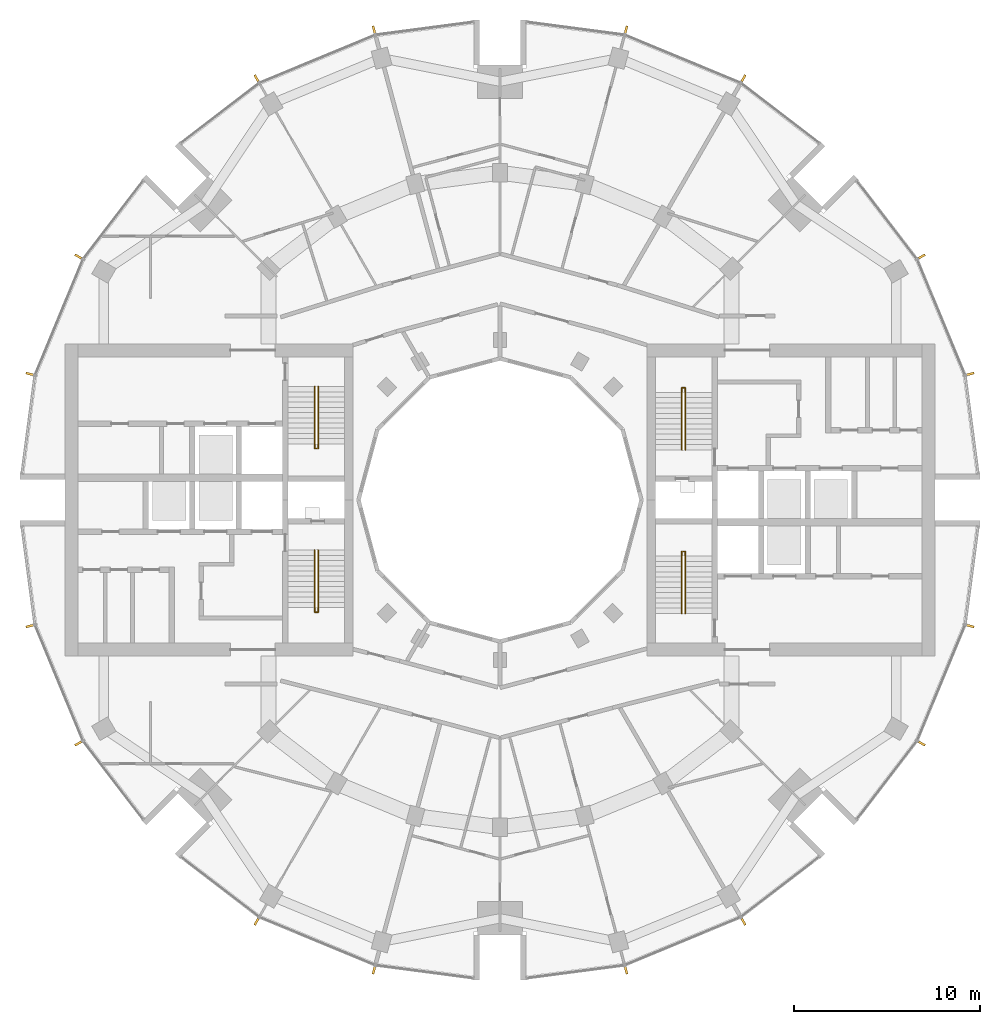
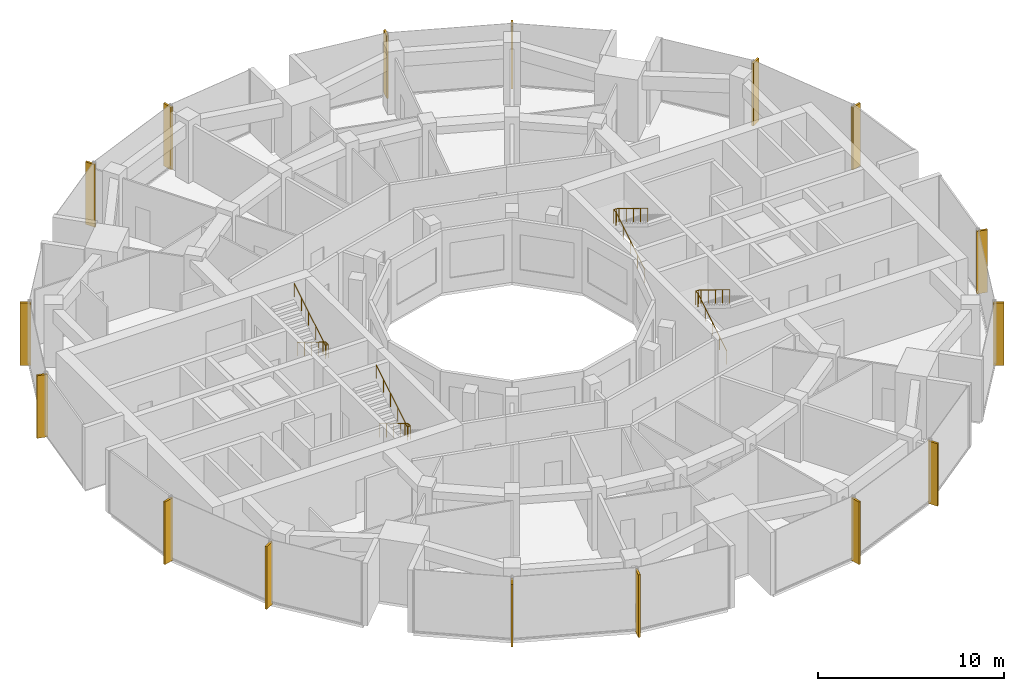
# One storey, part 14 of 15: 16 shading devices, 4 railings.
"""IFC4 building model written with IfcOpenShell, lengths in metres."""

from ifc_helpers import new_model, si_unit, direction, frame, origin, origin_2d, place, context, subcontext, project, spatial, rectangle, circle, extrude, material, material_profile, profile_set, type_object, element, save


model = new_model("IFC4")

# Units and contexts
model_context = context("Model", 3, precision=1e-05, world=origin(), true_north=direction((0.0, 1.0)))
body_context = subcontext(model_context, "Body", "Model", "MODEL_VIEW")
ifc_project = project(units=[si_unit("LENGTHUNIT", "METRE"), si_unit("AREAUNIT", "SQUARE_METRE"), si_unit("VOLUMEUNIT", "CUBIC_METRE"), si_unit("PLANEANGLEUNIT", "RADIAN"), si_unit("MASSUNIT", "GRAM", prefix="KILO")], contexts=[model_context])

# Site, building, storey
site_placement = place(None, origin())
site = spatial("IfcSite", under=ifc_project, at=site_placement, CompositionType="ELEMENT")
building_placement = place(site_placement, origin())
building = spatial("IfcBuilding", under=site, at=building_placement, Name="Torre Brocal", CompositionType="ELEMENT")
storey_placement = place(building_placement, frame((0.0, 0.0, 194.60009765625)))
storey = spatial("IfcBuildingStorey", under=building, at=storey_placement, Name="L45", CompositionType="ELEMENT", Elevation=194.60009765625)

# Shading devices
ifc_material_1 = material(Name="Aluminium, black anodised", Category="aluminium")
ifc_material_profile = material_profile(ifc_material_1, rectangle(XDim=0.1201171875, YDim=0.60009765625, at=origin_2d()), Name="FIN 120X600 4100 HIGH")
ifc_profile_set = profile_set([ifc_material_profile], Name="Aluminium, black anodised")
shading_device_type = type_object("IfcShadingDeviceType", Name="FIN 120X600 4100 HIGH", PredefinedType="USERDEFINED", material=ifc_profile_set)
for number, where, z_axis, x_axis, name in (
    (1, (105.208984375, 81.754638671875, -0.150146484375), (0.0, 0.0, 1.0), (-0.258819045103, 0.965925826289, 0.0), "FIN"),
    (2, (102.601806640625, 88.049072265625, -0.150146484375), (0.0, 0.0, 1.0), (-0.5, 0.866025403784, 0.0), "FIN"),
    (3, (93.049072265625, 97.601806640625, -0.150146484375), (0.0, 0.0, 1.0), (-0.866025403784, 0.5, 0.0), "FIN"),
    (4, (86.754638671875, 100.208984375, -0.150146484375), (0.0, 0.0, 1.0), (-0.965925826289, 0.258819045103, 0.0), "FIN"),
    (5, (73.245361328125, 100.208984375, -0.150146484375), (0.0, 0.0, 1.0), (-0.965925826289, -0.258819045103, 0.0), "FIN"),
    (6, (66.950927734375, 97.601806640625, -0.150146484375), (0.0, 0.0, 1.0), (-0.866025403784, -0.5, 0.0), "FIN"),
    (7, (57.398193359375, 88.049072265625, -0.150146484375), (0.0, 0.0, 1.0), (-0.5, -0.866025403784, 0.0), "FIN"),
    (8, (54.791015625, 81.754638671875, -0.150146484375), (0.0, 0.0, 1.0), (-0.258819045103, -0.965925826289, 0.0), "FIN"),
    (9, (54.791015625, 68.245361328125, -0.150146484375), (0.0, 0.0, 1.0), (0.258819045103, -0.965925826289, 0.0), "FIN"),
    (10, (57.398193359375, 61.950927734375, -0.150146484375), (0.0, 0.0, 1.0), (0.5, -0.866025403784, 0.0), "FIN"),
    (11, (66.950927734375, 52.398193359375, -0.150146484375), (0.0, 0.0, 1.0), (0.866025403784, -0.5, 0.0), "FIN"),
    (12, (73.245361328125, 49.791015625, -0.150146484375), (0.0, 0.0, 1.0), (0.965925826289, -0.258819045103, 0.0), "FIN"),
    (13, (86.754638671875, 49.791015625, -0.150146484375), (0.0, 0.0, 1.0), (0.965925826289, 0.258819045103, 0.0), "FIN"),
    (14, (93.049072265625, 52.398193359375, -0.150146484375), (0.0, 0.0, 1.0), (0.866025403784, 0.5, 0.0), "FIN"),
    (15, (102.601806640625, 61.950927734375, -0.150146484375), (0.0, 0.0, 1.0), (0.5, 0.866025403784, 0.0), "FIN"),
    (16, (105.208984375, 68.245361328125, -0.150146484375), (0.0, 0.0, 1.0), (0.258819045103, 0.965925826289, 0.0), "FIN"),
):
    element("IfcShadingDevice", number, at=place(storey_placement, frame(where, z_axis=z_axis, x_axis=x_axis)), inside=storey, type_object=shading_device_type, Name=name, ObjectType="FIN", PredefinedType="USERDEFINED", context=body_context, shape_type="SweptSolid", body=[
        extrude(rectangle(XDim=0.1201171875, YDim=0.60009765625, at=origin_2d()), origin(), (0.0, 0.0, 1.0), 4.10009765625),
    ])

# Railings
ifc_material_2 = material(Name="Stainless steel AISI 316", Category="steel")
railing_type = type_object("IfcRailingType", Name="STAIR HANDRAIL", PredefinedType="HANDRAIL", material=ifc_material_2)
railing_1_placement = place(storey_placement, frame((89.780029296875, 77.699951171875, 0.170654296875)))
element("IfcRailing", 17, at=railing_1_placement, inside=storey, type_object=railing_type, Name="HANDRAIL ST1", PredefinedType="HANDRAIL", context=body_context, shape_type="SweptSolid", body=[
    extrude(circle(Radius=0.02392578125, at=origin_2d()), frame((0.0, 0.0, 0.8759765625), z_axis=(0.0, 0.853666305674, 0.52082035152), x_axis=(-1.0, 0.0, 0.0)), (0.0, 0.0, 1.0), 3.608154296875),
    extrude(circle(Radius=0.02392578125, at=origin_2d()), frame((0.0, 3.080078125, 2.7548828125), z_axis=(0.0, 1.0, 0.0), x_axis=(-1.0, 0.0, 0.0)), (0.0, 0.0, 1.0), 0.25),
    extrude(circle(Radius=0.02392578125, at=origin_2d()), frame((0.0, 3.330078125, 2.7548828125), z_axis=(1.0, 0.0, 0.0), x_axis=(0.0, 1.0, 0.0)), (0.0, 0.0, 1.0), 0.18994140625),
    extrude(circle(Radius=0.02392578125, at=origin_2d()), frame((0.18994140625, 3.330078125, 2.7548828125), z_axis=(0.0, -0.825544483742, 0.564337049433), x_axis=(1.0, 0.0, 0.0)), (0.0, 0.0, 1.0), 0.302734375),
    extrude(circle(Radius=0.02392578125, at=origin_2d()), frame((0.18994140625, 3.080078125, 2.92578125), z_axis=(0.0, -0.853666305674, 0.52082035152), x_axis=(1.0, 0.0, 0.0)), (0.0, 0.0, 1.0), 3.608154296875),
    extrude(circle(Radius=0.02099609375, at=origin_2d()), origin(), (0.0, 0.0, 1.0), 0.851806640625),
    extrude(circle(Radius=0.02099609375, at=origin_2d()), frame((0.0, 0.77001953125, 0.4697265625)), (0.0, 0.0, 1.0), 0.851806640625),
    extrude(circle(Radius=0.02099609375, at=origin_2d()), frame((0.0, 1.5400390625, 0.939453125)), (0.0, 0.0, 1.0), 0.851806640625),
    extrude(circle(Radius=0.02099609375, at=origin_2d()), frame((0.0, 2.31005859375, 1.409423828125)), (0.0, 0.0, 1.0), 0.851806640625),
    extrude(circle(Radius=0.02099609375, at=origin_2d()), frame((0.0, 3.080078125, 1.879150390625)), (0.0, 0.0, 1.0), 0.851806640625),
    extrude(circle(Radius=0.02099609375, at=origin_2d()), frame((0.0, 3.330078125, 1.879150390625)), (0.0, 0.0, 1.0), 0.851806640625),
    extrude(circle(Radius=0.02099609375, at=origin_2d()), frame((0.18994140625, 3.330078125, 1.879150390625)), (0.0, 0.0, 1.0), 0.851806640625),
    extrude(circle(Radius=0.02099609375, at=origin_2d()), frame((0.18994140625, 3.080078125, 2.050048828125)), (0.0, 0.0, 1.0), 0.851806640625),
    extrude(circle(Radius=0.02099609375, at=origin_2d()), frame((0.18994140625, 2.31005859375, 2.519775390625)), (0.0, 0.0, 1.0), 0.851806640625),
    extrude(circle(Radius=0.02099609375, at=origin_2d()), frame((0.18994140625, 1.5400390625, 2.98974609375)), (0.0, 0.0, 1.0), 0.851806640625),
    extrude(circle(Radius=0.02099609375, at=origin_2d()), frame((0.18994140625, 0.77001953125, 3.45947265625)), (0.0, 0.0, 1.0), 0.851806640625),
    extrude(circle(Radius=0.02099609375, at=origin_2d()), frame((0.18994140625, 0.0, 3.92919921875)), (0.0, 0.0, 1.0), 0.851806640625),
])
railing_2_placement = place(storey_placement, frame((89.780029296875, 68.89990234375, 0.170654296875)))
element("IfcRailing", 18, at=railing_2_placement, inside=storey, type_object=railing_type, Name="HANDRAIL ST2", PredefinedType="HANDRAIL", context=body_context, shape_type="SweptSolid", body=[
    extrude(circle(Radius=0.02392578125, at=origin_2d()), frame((0.0, 0.0, 0.8759765625), z_axis=(0.0, 0.853666305674, 0.52082035152), x_axis=(-1.0, 0.0, 0.0)), (0.0, 0.0, 1.0), 3.608154296875),
    extrude(circle(Radius=0.02392578125, at=origin_2d()), frame((0.0, 3.080078125, 2.7548828125), z_axis=(0.0, 1.0, 0.0), x_axis=(-1.0, 0.0, 0.0)), (0.0, 0.0, 1.0), 0.25),
    extrude(circle(Radius=0.02392578125, at=origin_2d()), frame((0.0, 3.330078125, 2.7548828125), z_axis=(1.0, 0.0, 0.0), x_axis=(0.0, 1.0, 0.0)), (0.0, 0.0, 1.0), 0.18994140625),
    extrude(circle(Radius=0.02392578125, at=origin_2d()), frame((0.18994140625, 3.330078125, 2.7548828125), z_axis=(0.0, -0.825544483742, 0.564337049433), x_axis=(1.0, 0.0, 0.0)), (0.0, 0.0, 1.0), 0.302734375),
    extrude(circle(Radius=0.02392578125, at=origin_2d()), frame((0.18994140625, 3.080078125, 2.92578125), z_axis=(0.0, -0.853666305674, 0.52082035152), x_axis=(1.0, 0.0, 0.0)), (0.0, 0.0, 1.0), 3.608154296875),
    extrude(circle(Radius=0.02099609375, at=origin_2d()), origin(), (0.0, 0.0, 1.0), 0.851806640625),
    extrude(circle(Radius=0.02099609375, at=origin_2d()), frame((0.0, 0.77001953125, 0.4697265625)), (0.0, 0.0, 1.0), 0.851806640625),
    extrude(circle(Radius=0.02099609375, at=origin_2d()), frame((0.0, 1.5400390625, 0.939453125)), (0.0, 0.0, 1.0), 0.851806640625),
    extrude(circle(Radius=0.02099609375, at=origin_2d()), frame((0.0, 2.31005859375, 1.409423828125)), (0.0, 0.0, 1.0), 0.851806640625),
    extrude(circle(Radius=0.02099609375, at=origin_2d()), frame((0.0, 3.080078125, 1.879150390625)), (0.0, 0.0, 1.0), 0.851806640625),
    extrude(circle(Radius=0.02099609375, at=origin_2d()), frame((0.0, 3.330078125, 1.879150390625)), (0.0, 0.0, 1.0), 0.851806640625),
    extrude(circle(Radius=0.02099609375, at=origin_2d()), frame((0.18994140625, 3.330078125, 1.879150390625)), (0.0, 0.0, 1.0), 0.851806640625),
    extrude(circle(Radius=0.02099609375, at=origin_2d()), frame((0.18994140625, 3.080078125, 2.050048828125)), (0.0, 0.0, 1.0), 0.851806640625),
    extrude(circle(Radius=0.02099609375, at=origin_2d()), frame((0.18994140625, 2.31005859375, 2.519775390625)), (0.0, 0.0, 1.0), 0.851806640625),
    extrude(circle(Radius=0.02099609375, at=origin_2d()), frame((0.18994140625, 1.5400390625, 2.98974609375)), (0.0, 0.0, 1.0), 0.851806640625),
    extrude(circle(Radius=0.02099609375, at=origin_2d()), frame((0.18994140625, 0.77001953125, 3.45947265625)), (0.0, 0.0, 1.0), 0.851806640625),
    extrude(circle(Radius=0.02099609375, at=origin_2d()), frame((0.18994140625, 0.0, 3.92919921875)), (0.0, 0.0, 1.0), 0.851806640625),
])
railing_3_placement = place(storey_placement, frame((70.219970703125, 72.300048828125, 0.170654296875)))
element("IfcRailing", 19, at=railing_3_placement, inside=storey, type_object=railing_type, Name="HANDRAIL ST3", PredefinedType="HANDRAIL", context=body_context, shape_type="SweptSolid", body=[
    extrude(circle(Radius=0.02392578125, at=origin_2d()), frame((0.0, 0.0, 0.8759765625), z_axis=(0.0, -0.853666305674, 0.52082035152), x_axis=(1.0, 0.0, 0.0)), (0.0, 0.0, 1.0), 3.608154296875),
    extrude(circle(Radius=0.02392578125, at=origin_2d()), frame((0.0, -3.080078125, 2.7548828125), z_axis=(0.0, -1.0, 0.0), x_axis=(1.0, 0.0, 0.0)), (0.0, 0.0, 1.0), 0.25),
    extrude(circle(Radius=0.02392578125, at=origin_2d()), frame((0.0, -3.330078125, 2.7548828125), z_axis=(-1.0, 0.0, 0.0), x_axis=(0.0, -1.0, 0.0)), (0.0, 0.0, 1.0), 0.18994140625),
    extrude(circle(Radius=0.02392578125, at=origin_2d()), frame((-0.18994140625, -3.330078125, 2.7548828125), z_axis=(0.0, 0.825544483742, 0.564337049433), x_axis=(-1.0, 0.0, 0.0)), (0.0, 0.0, 1.0), 0.302734375),
    extrude(circle(Radius=0.02392578125, at=origin_2d()), frame((-0.18994140625, -3.080078125, 2.92578125), z_axis=(0.0, 0.853666305674, 0.52082035152), x_axis=(-1.0, 0.0, 0.0)), (0.0, 0.0, 1.0), 3.608154296875),
    extrude(circle(Radius=0.02099609375, at=origin_2d()), origin(), (0.0, 0.0, 1.0), 0.851806640625),
    extrude(circle(Radius=0.02099609375, at=origin_2d()), frame((0.0, -0.77001953125, 0.4697265625)), (0.0, 0.0, 1.0), 0.851806640625),
    extrude(circle(Radius=0.02099609375, at=origin_2d()), frame((0.0, -1.5400390625, 0.939453125)), (0.0, 0.0, 1.0), 0.851806640625),
    extrude(circle(Radius=0.02099609375, at=origin_2d()), frame((0.0, -2.31005859375, 1.409423828125)), (0.0, 0.0, 1.0), 0.851806640625),
    extrude(circle(Radius=0.02099609375, at=origin_2d()), frame((0.0, -3.080078125, 1.879150390625)), (0.0, 0.0, 1.0), 0.851806640625),
    extrude(circle(Radius=0.02099609375, at=origin_2d()), frame((0.0, -3.330078125, 1.879150390625)), (0.0, 0.0, 1.0), 0.851806640625),
    extrude(circle(Radius=0.02099609375, at=origin_2d()), frame((-0.18994140625, -3.330078125, 1.879150390625)), (0.0, 0.0, 1.0), 0.851806640625),
    extrude(circle(Radius=0.02099609375, at=origin_2d()), frame((-0.18994140625, -3.080078125, 2.050048828125)), (0.0, 0.0, 1.0), 0.851806640625),
    extrude(circle(Radius=0.02099609375, at=origin_2d()), frame((-0.18994140625, -2.31005859375, 2.519775390625)), (0.0, 0.0, 1.0), 0.851806640625),
    extrude(circle(Radius=0.02099609375, at=origin_2d()), frame((-0.18994140625, -1.5400390625, 2.98974609375)), (0.0, 0.0, 1.0), 0.851806640625),
    extrude(circle(Radius=0.02099609375, at=origin_2d()), frame((-0.18994140625, -0.77001953125, 3.45947265625)), (0.0, 0.0, 1.0), 0.851806640625),
    extrude(circle(Radius=0.02099609375, at=origin_2d()), frame((-0.18994140625, 0.0, 3.92919921875)), (0.0, 0.0, 1.0), 0.851806640625),
])
railing_4_placement = place(storey_placement, frame((70.219970703125, 81.10009765625, 0.170654296875)))
element("IfcRailing", 20, at=railing_4_placement, inside=storey, type_object=railing_type, Name="HANDRAIL ST4", PredefinedType="HANDRAIL", context=body_context, shape_type="SweptSolid", body=[
    extrude(circle(Radius=0.02392578125, at=origin_2d()), frame((0.0, 0.0, 0.8759765625), z_axis=(0.0, -0.853666305674, 0.52082035152), x_axis=(1.0, 0.0, 0.0)), (0.0, 0.0, 1.0), 3.608154296875),
    extrude(circle(Radius=0.02392578125, at=origin_2d()), frame((0.0, -3.080078125, 2.7548828125), z_axis=(0.0, -1.0, 0.0), x_axis=(1.0, 0.0, 0.0)), (0.0, 0.0, 1.0), 0.25),
    extrude(circle(Radius=0.02392578125, at=origin_2d()), frame((0.0, -3.330078125, 2.7548828125), z_axis=(-1.0, 0.0, 0.0), x_axis=(0.0, -1.0, 0.0)), (0.0, 0.0, 1.0), 0.18994140625),
    extrude(circle(Radius=0.02392578125, at=origin_2d()), frame((-0.18994140625, -3.330078125, 2.7548828125), z_axis=(0.0, 0.825544483742, 0.564337049433), x_axis=(-1.0, 0.0, 0.0)), (0.0, 0.0, 1.0), 0.302734375),
    extrude(circle(Radius=0.02392578125, at=origin_2d()), frame((-0.18994140625, -3.080078125, 2.92578125), z_axis=(0.0, 0.853666305674, 0.52082035152), x_axis=(-1.0, 0.0, 0.0)), (0.0, 0.0, 1.0), 3.608154296875),
    extrude(circle(Radius=0.02099609375, at=origin_2d()), origin(), (0.0, 0.0, 1.0), 0.851806640625),
    extrude(circle(Radius=0.02099609375, at=origin_2d()), frame((0.0, -0.77001953125, 0.4697265625)), (0.0, 0.0, 1.0), 0.851806640625),
    extrude(circle(Radius=0.02099609375, at=origin_2d()), frame((0.0, -1.5400390625, 0.939453125)), (0.0, 0.0, 1.0), 0.851806640625),
    extrude(circle(Radius=0.02099609375, at=origin_2d()), frame((0.0, -2.31005859375, 1.409423828125)), (0.0, 0.0, 1.0), 0.851806640625),
    extrude(circle(Radius=0.02099609375, at=origin_2d()), frame((0.0, -3.080078125, 1.879150390625)), (0.0, 0.0, 1.0), 0.851806640625),
    extrude(circle(Radius=0.02099609375, at=origin_2d()), frame((0.0, -3.330078125, 1.879150390625)), (0.0, 0.0, 1.0), 0.851806640625),
    extrude(circle(Radius=0.02099609375, at=origin_2d()), frame((-0.18994140625, -3.330078125, 1.879150390625)), (0.0, 0.0, 1.0), 0.851806640625),
    extrude(circle(Radius=0.02099609375, at=origin_2d()), frame((-0.18994140625, -3.080078125, 2.050048828125)), (0.0, 0.0, 1.0), 0.851806640625),
    extrude(circle(Radius=0.02099609375, at=origin_2d()), frame((-0.18994140625, -2.31005859375, 2.519775390625)), (0.0, 0.0, 1.0), 0.851806640625),
    extrude(circle(Radius=0.02099609375, at=origin_2d()), frame((-0.18994140625, -1.5400390625, 2.98974609375)), (0.0, 0.0, 1.0), 0.851806640625),
    extrude(circle(Radius=0.02099609375, at=origin_2d()), frame((-0.18994140625, -0.77001953125, 3.45947265625)), (0.0, 0.0, 1.0), 0.851806640625),
    extrude(circle(Radius=0.02099609375, at=origin_2d()), frame((-0.18994140625, 0.0, 3.92919921875)), (0.0, 0.0, 1.0), 0.851806640625),
])

save(model, "model.ifc")
